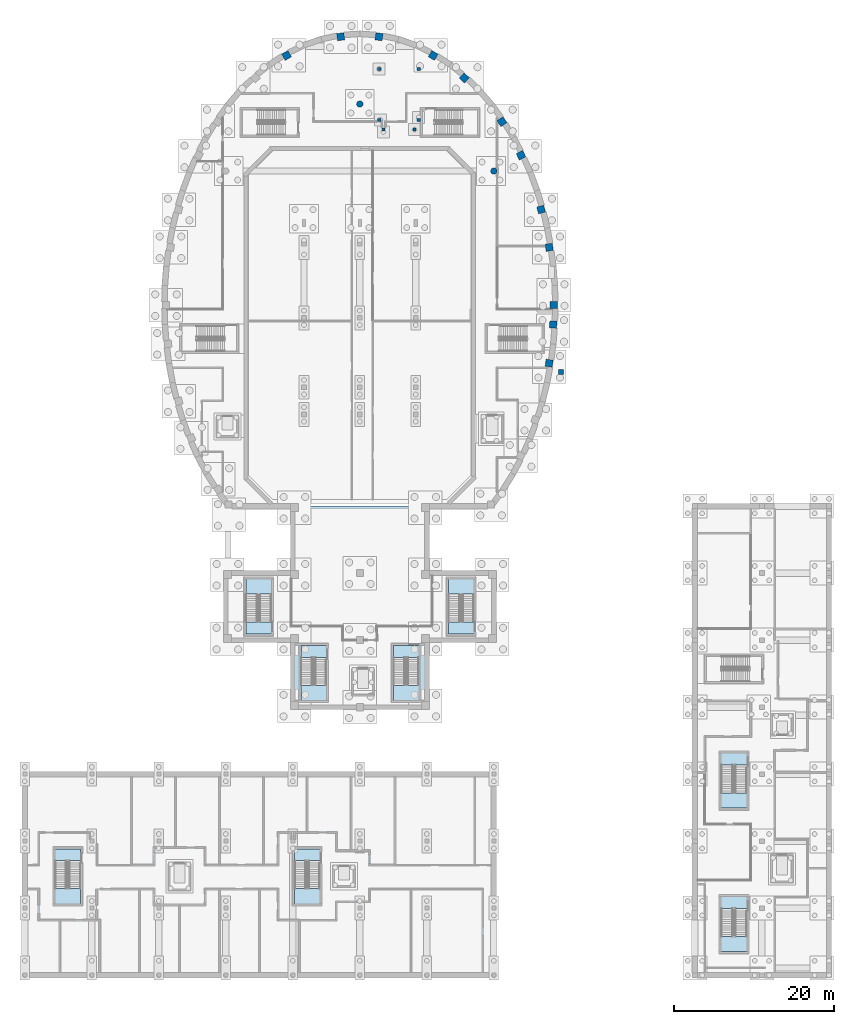
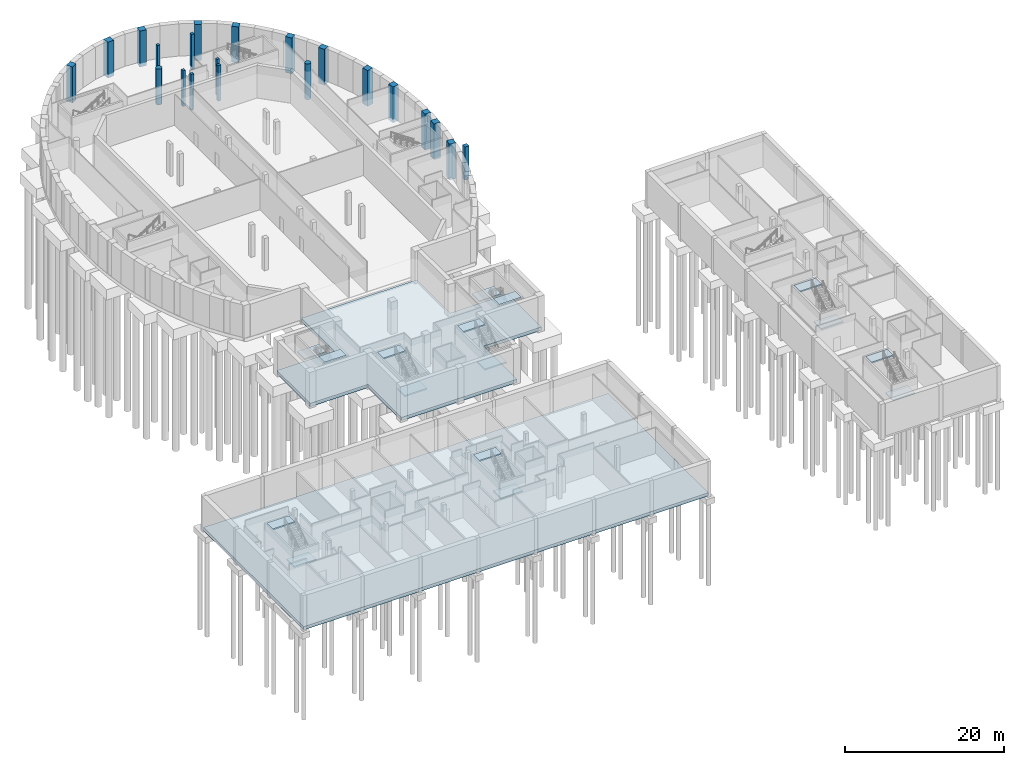
# One storey, part 7 of 33: 21 columns, 18 slabs, 8 elements without a shape of their own.
"""IFC4 building model written with IfcOpenShell, lengths in metres."""

from ifc_helpers import new_model, si_unit, direction, frame, origin, origin_2d, place, context, subcontext, project, spatial, polyline, rectangle, circle, outline, extrude, material, layer, layer_set, material_profile, profile_set, type_object, element, aggregate, save


model = new_model("IFC4")

# Units and contexts
model_context = context("Model", 3, precision=1e-05, world=origin(), true_north=direction((0.0, 1.0)))
body_context = subcontext(model_context, "Body", "Model", "MODEL_VIEW")
ifc_project = project(units=[si_unit("LENGTHUNIT", "METRE"), si_unit("AREAUNIT", "SQUARE_METRE"), si_unit("VOLUMEUNIT", "CUBIC_METRE"), si_unit("PLANEANGLEUNIT", "RADIAN"), si_unit("MASSUNIT", "GRAM", prefix="KILO")], contexts=[model_context])

# Site, building, storey
site_placement = place(None, origin())
site = spatial("IfcSite", under=ifc_project, at=site_placement, CompositionType="ELEMENT")
building_placement = place(site_placement, origin())
building = spatial("IfcBuilding", under=site, at=building_placement, Name="Larchfold Concert Hall", CompositionType="ELEMENT")
storey_placement = place(building_placement, frame((0.0, 0.0, -5.0)))
storey = spatial("IfcBuildingStorey", under=building, at=storey_placement, Name="B1", CompositionType="ELEMENT", Elevation=-5.0)

# Columns
ifc_material_1 = material(Name="Concrete C35/45", Category="concrete")
ifc_material_profile_1 = material_profile(ifc_material_1, rectangle(XDim=0.39990234375, YDim=0.39990234375, at=origin_2d()))
ifc_profile_set_1 = profile_set([ifc_material_profile_1], Name="Concrete C35/45")
column_type_1 = type_object("IfcColumnType", Name="Column RC 400x400", PredefinedType="COLUMN", material=ifc_profile_set_1)
for number, where, z_axis, x_axis, name in (
    (1, (45.02490234375, 107.8125, -0.5), (0.0, 0.0, 1.0), (1.0, 0.0, 0.0), "Column C0087"),
    (2, (45.02490234375, 114.1875, -0.5), (0.0, 0.0, 1.0), (1.0, 0.0, 0.0), "Column C0088"),
    (3, (45.5498046875, 106.60009765625, -0.5), (0.0, 0.0, 1.0), (1.0, 0.0, 0.0), "Column C0089"),
    (4, (49.4501953125, 106.60009765625, -0.5), (0.0, 0.0, 1.0), (1.0, 0.0, 0.0), "Column C0090"),
    (5, (49.97509765625, 107.8125, -0.5), (0.0, 0.0, 1.0), (1.0, 0.0, 0.0), "Column C0091"),
    (6, (49.97509765625, 114.1875, -0.5), (0.0, 0.0, 1.0), (1.0, 0.0, 0.0), "Column C0092"),
):
    element("IfcColumn", number, at=place(storey_placement, frame(where, z_axis=z_axis, x_axis=x_axis)), inside=storey, type_object=column_type_1, Name=name, PredefinedType="COLUMN", context=body_context, shape_type="SweptSolid", body=[
        extrude(rectangle(XDim=0.39990234375, YDim=0.39990234375, at=origin_2d()), origin(), (0.0, 0.0, 1.0), 5.5),
    ])
ifc_material_2 = material(Name="Concrete C35/45", Category="concrete")
ifc_material_profile_2 = material_profile(ifc_material_2, rectangle(XDim=0.60009765625, YDim=0.60009765625, at=origin_2d()))
ifc_profile_set_2 = profile_set([ifc_material_profile_2], Name="Concrete C35/45")
column_type_2 = type_object("IfcColumnType", Name="Column RC 600x600", PredefinedType="COLUMN", material=ifc_profile_set_2)
column_placement = place(storey_placement, frame((67.800048828125, 76.199951171875, -0.5), z_axis=(0.0, 0.0, 1.0), x_axis=(1.0, 0.0, 0.0)))
element("IfcColumn", 7, at=column_placement, inside=storey, type_object=column_type_2, Name="Column C0086", PredefinedType="COLUMN", context=body_context, shape_type="SweptSolid", body=[
    extrude(rectangle(XDim=0.60009765625, YDim=0.60009765625, at=origin_2d()), origin(), (0.0, 0.0, 1.0), 5.10009765625),
])
ifc_material_3 = material(Name="Concrete C35/45", Category="concrete")
ifc_material_profile_3 = material_profile(ifc_material_3, rectangle(XDim=0.89990234375, YDim=0.89990234375, at=origin_2d()))
ifc_profile_set_3 = profile_set([ifc_material_profile_3], Name="Concrete C35/45")
column_type_3 = type_object("IfcColumnType", Name="Column RC 900x900", PredefinedType="COLUMN", material=ifc_profile_set_3)
for number, where, z_axis, x_axis, name in (
    (8, (66.900146484375, 84.60009765625, -0.5), (0.0, 0.0, 1.0), (0.999999999998, 2.069699e-06, 0.0), "Column C9001"),
    (9, (66.33544921875, 91.841796875, -0.5), (0.0, 0.0, 1.0), (0.987778077668, 0.155866831876, 0.0), "Column C9002"),
    (10, (65.322021484375, 96.578857421875, -0.5), (0.0, 0.0, 1.0), (0.964788079418, 0.263028442973, 0.0), "Column C9003"),
    (11, (62.800537109375, 103.382568359375, -0.5), (0.0, 0.0, 1.0), (0.901263073046, 0.433272285247, 0.0), "Column C9004"),
    (12, (60.411865234375, 107.587646484375, -0.5), (0.0, 0.0, 1.0), (0.831867887413, 0.55497370919, 0.0), "Column C9005"),
    (13, (55.694580078125, 113.069580078125, -0.5), (0.0, 0.0, 1.0), (0.664881649498, 0.746948721239, 0.0), "Column C9006"),
    (14, (51.788330078125, 115.888916015625, -0.5), (0.0, 0.0, 1.0), (0.494204498977, 0.869345681068, 0.0), "Column C9007"),
    (15, (44.999267578125, 118.23486328125, -0.5), (0.0, 0.0, 1.0), (0.13683054479, 0.990594468999, 0.0), "Column C9008"),
    (16, (40.200927734375, 118.23486328125, -0.5), (0.0, 0.0, 1.0), (0.990595961709, 0.136819737776, 0.0), "Column C9009"),
    (17, (33.411865234375, 115.888916015625, -0.5), (0.0, 0.0, 1.0), (0.869350146356, 0.49419664409, 0.0), "Column C9010"),
    (18, (66.328369140625, 77.3134765625, -0.5), (0.0, 0.0, 1.0), (0.156847117791, 0.987622894449, 0.0), "Column C9025"),
    (19, (66.8369140625, 82.162353515625, -0.5), (0.0, 0.0, 1.0), (0.051949743743, 0.998649700408, 0.0), "Column C9026"),
):
    element("IfcColumn", number, at=place(storey_placement, frame(where, z_axis=z_axis, x_axis=x_axis)), inside=storey, type_object=column_type_3, Name=name, PredefinedType="COLUMN", context=body_context, shape_type="SweptSolid", body=[
        extrude(rectangle(XDim=0.89990234375, YDim=0.89990234375, at=origin_2d()), origin(), (0.0, 0.0, 1.0), 5.5),
    ])
ifc_material_4 = material(Name="Concrete C35/45", Category="concrete")
ifc_material_profile_4 = material_profile(ifc_material_4, circle(Radius=0.39990234375, at=origin_2d()))
ifc_profile_set_4 = profile_set([ifc_material_profile_4], Name="Concrete C35/45")
column_type_4 = type_object("IfcColumnType", Name="Column RC D800", PredefinedType="COLUMN", material=ifc_profile_set_4)
for number, where, z_axis, x_axis, name in (
    (20, (42.60009765625, 109.800048828125, -0.5), (0.0, 0.0, 1.0), (1.0, 0.0, 0.0), "Column RC2698"),
    (21, (59.39990234375, 101.39990234375, -0.5), (0.0, 0.0, 1.0), (1.0, 0.0, 0.0), "Column RC9414"),
):
    element("IfcColumn", number, at=place(storey_placement, frame(where, z_axis=z_axis, x_axis=x_axis)), inside=storey, type_object=column_type_4, Name=name, PredefinedType="COLUMN", context=body_context, shape_type="SweptSolid", body=[
        extrude(circle(Radius=0.39990234375, at=origin_2d()), origin(), (0.0, 0.0, 1.0), 5.5),
    ])

# Slabs
ifc_material_5 = material(Name="Concrete C35/45", Category="concrete")
ifc_layer_1 = layer(ifc_material_5, 0.5)
ifc_layer_set_1 = layer_set([ifc_layer_1], Name="Concrete C35/45")
slab_type_1 = type_object("IfcSlabType", Name="Raft 500", PredefinedType="BASESLAB", material=ifc_layer_set_1)
slab_1_placement = place(storey_placement, frame((0.0, 0.0, -0.5)))
element("IfcSlab", 22, at=slab_1_placement, inside=storey, type_object=slab_type_1, Name="Slab S0001", PredefinedType="BASESLAB", context=body_context, shape_type="SweptSolid", body=[
    extrude(outline(polyline([(59.39990234375, 0.60009765625), (59.39990234375, 25.800048828125), (0.60009765625, 25.800048828125), (0.60009765625, 0.60009765625), (59.39990234375, 0.60009765625)])), origin(), (0.0, 0.0, 1.0), 0.5),
])
slab_2_placement = place(storey_placement, frame((0.0, 0.0, -0.5)))
element("IfcSlab", 23, at=slab_2_placement, inside=storey, type_object=slab_type_1, Name="Slab S0003", PredefinedType="BASESLAB", context=body_context, shape_type="SweptSolid", body=[
    extrude(outline(polyline([(51.0, 42.60009765625), (59.39990234375, 42.60009765625), (59.39990234375, 51.0), (51.0, 51.0), (51.0, 59.39990234375), (34.199951171875, 59.39990234375), (34.199951171875, 51.0), (25.800048828125, 51.0), (25.800048828125, 42.60009765625), (34.199951171875, 42.60009765625), (34.199951171875, 34.199951171875), (51.0, 34.199951171875), (51.0, 42.60009765625)])), origin(), (0.0, 0.0, 1.0), 0.5),
])

# Stair, slabs
ifc_material_6 = material(Name="Concrete C35/45", Category="concrete")
stair_type = type_object("IfcStairType", Name="Stair RC half-turn enclosed", PredefinedType="HALF_TURN_STAIR", material=ifc_material_6)
stair_1_placement = place(storey_placement, origin())
stair_1 = element("IfcStair", 24, at=stair_1_placement, inside=storey, type_object=stair_type, Name="Stair SH1", PredefinedType="HALF_TURN_STAIR")
ifc_material_7 = material(Name="Concrete C35/45", Category="concrete")
ifc_layer_2 = layer(ifc_material_7, 0.199951171875)
ifc_layer_set_2 = layer_set([ifc_layer_2], Name="Concrete C35/45")
slab_type_2 = type_object("IfcSlabType", Name="Stair landing RC 200", PredefinedType="LANDING", material=ifc_layer_set_2)
slab_3_placement = place(storey_placement, frame((0.0, 0.0, 2.300048828125)))
slab_3 = element("IfcSlab", 25, at=slab_3_placement, type_object=slab_type_2, Name="ST09 landing 1", PredefinedType="LANDING", context=body_context, shape_type="SweptSolid", body=[
    extrude(outline(polyline([(31.5, 48.360107421875), (31.5, 50.25), (28.300048828125, 50.25), (28.300048828125, 48.360107421875), (31.5, 48.360107421875)])), origin(), (0.0, 0.0, 1.0), 0.199951171875),
])
slab_4_placement = place(storey_placement, frame((0.0, 0.0, 4.800048828125)))
slab_4 = element("IfcSlab", 26, at=slab_4_placement, type_object=slab_type_2, Name="ST09 landing 2", PredefinedType="LANDING", context=body_context, shape_type="SweptSolid", body=[
    extrude(outline(polyline([(31.5, 43.35009765625), (31.5, 44.85009765625), (28.300048828125, 44.85009765625), (28.300048828125, 43.35009765625), (31.5, 43.35009765625)])), origin(), (0.0, 0.0, 1.0), 0.199951171875),
])
aggregate(stair_1, [slab_3, slab_4])

stair_2_placement = place(storey_placement, origin())
stair_2 = element("IfcStair", 27, at=stair_2_placement, inside=storey, type_object=stair_type, Name="Stair SH2", PredefinedType="HALF_TURN_STAIR")
slab_5_placement = place(storey_placement, frame((0.0, 0.0, 2.300048828125)))
slab_5 = element("IfcSlab", 28, at=slab_5_placement, type_object=slab_type_2, Name="ST10 landing 1", PredefinedType="LANDING", context=body_context, shape_type="SweptSolid", body=[
    extrude(outline(polyline([(56.89990234375, 48.360107421875), (56.89990234375, 50.25), (53.699951171875, 50.25), (53.699951171875, 48.360107421875), (56.89990234375, 48.360107421875)])), origin(), (0.0, 0.0, 1.0), 0.199951171875),
])
slab_6_placement = place(storey_placement, frame((0.0, 0.0, 4.800048828125)))
slab_6 = element("IfcSlab", 29, at=slab_6_placement, type_object=slab_type_2, Name="ST10 landing 2", PredefinedType="LANDING", context=body_context, shape_type="SweptSolid", body=[
    extrude(outline(polyline([(56.89990234375, 43.35009765625), (56.89990234375, 44.85009765625), (53.699951171875, 44.85009765625), (53.699951171875, 43.35009765625), (56.89990234375, 43.35009765625)])), origin(), (0.0, 0.0, 1.0), 0.199951171875),
])
aggregate(stair_2, [slab_5, slab_6])

stair_3_placement = place(storey_placement, origin())
stair_3 = element("IfcStair", 30, at=stair_3_placement, inside=storey, type_object=stair_type, Name="Stair SH3", PredefinedType="HALF_TURN_STAIR")
slab_7_placement = place(storey_placement, frame((0.0, 0.0, 2.300048828125)))
slab_7 = element("IfcSlab", 31, at=slab_7_placement, type_object=slab_type_2, Name="ST11 landing 1", PredefinedType="LANDING", context=body_context, shape_type="SweptSolid", body=[
    extrude(outline(polyline([(35.199951171875, 36.93994140625), (35.199951171875, 35.050048828125), (38.39990234375, 35.050048828125), (38.39990234375, 36.93994140625), (35.199951171875, 36.93994140625)])), origin(), (0.0, 0.0, 1.0), 0.199951171875),
])
slab_8_placement = place(storey_placement, frame((0.0, 0.0, 4.800048828125)))
slab_8 = element("IfcSlab", 32, at=slab_8_placement, type_object=slab_type_2, Name="ST11 landing 2", PredefinedType="LANDING", context=body_context, shape_type="SweptSolid", body=[
    extrude(outline(polyline([(35.199951171875, 41.949951171875), (35.199951171875, 40.449951171875), (38.39990234375, 40.449951171875), (38.39990234375, 41.949951171875), (35.199951171875, 41.949951171875)])), origin(), (0.0, 0.0, 1.0), 0.199951171875),
])
aggregate(stair_3, [slab_7, slab_8])

stair_4_placement = place(storey_placement, origin())
stair_4 = element("IfcStair", 33, at=stair_4_placement, inside=storey, type_object=stair_type, Name="Stair SH4", PredefinedType="HALF_TURN_STAIR")
slab_9_placement = place(storey_placement, frame((0.0, 0.0, 2.300048828125)))
slab_9 = element("IfcSlab", 34, at=slab_9_placement, type_object=slab_type_2, Name="ST12 landing 1", PredefinedType="LANDING", context=body_context, shape_type="SweptSolid", body=[
    extrude(outline(polyline([(46.800048828125, 36.93994140625), (46.800048828125, 35.050048828125), (50.0, 35.050048828125), (50.0, 36.93994140625), (46.800048828125, 36.93994140625)])), origin(), (0.0, 0.0, 1.0), 0.199951171875),
])
slab_10_placement = place(storey_placement, frame((0.0, 0.0, 4.800048828125)))
slab_10 = element("IfcSlab", 35, at=slab_10_placement, type_object=slab_type_2, Name="ST12 landing 2", PredefinedType="LANDING", context=body_context, shape_type="SweptSolid", body=[
    extrude(outline(polyline([(46.800048828125, 41.949951171875), (46.800048828125, 40.449951171875), (50.0, 40.449951171875), (50.0, 41.949951171875), (46.800048828125, 41.949951171875)])), origin(), (0.0, 0.0, 1.0), 0.199951171875),
])
aggregate(stair_4, [slab_9, slab_10])

stair_5_placement = place(storey_placement, origin())
stair_5 = element("IfcStair", 36, at=stair_5_placement, inside=storey, type_object=stair_type, Name="Stair AW1", PredefinedType="HALF_TURN_STAIR")
slab_11_placement = place(storey_placement, frame((0.0, 0.0, 2.300048828125)))
slab_11 = element("IfcSlab", 37, at=slab_11_placement, type_object=slab_type_2, Name="ST13 landing 1", PredefinedType="LANDING", context=body_context, shape_type="SweptSolid", body=[
    extrude(outline(polyline([(87.89990234375, 5.43994140625), (87.89990234375, 3.550048828125), (91.099853515625, 3.550048828125), (91.099853515625, 5.43994140625), (87.89990234375, 5.43994140625)])), origin(), (0.0, 0.0, 1.0), 0.199951171875),
])
slab_12_placement = place(storey_placement, frame((0.0, 0.0, 4.800048828125)))
slab_12 = element("IfcSlab", 38, at=slab_12_placement, type_object=slab_type_2, Name="ST13 landing 2", PredefinedType="LANDING", context=body_context, shape_type="SweptSolid", body=[
    extrude(outline(polyline([(87.89990234375, 10.449951171875), (87.89990234375, 8.949951171875), (91.10009765625, 8.949951171875), (91.10009765625, 10.449951171875), (87.89990234375, 10.449951171875)])), origin(), (0.0, 0.0, 1.0), 0.199951171875),
])
aggregate(stair_5, [slab_11, slab_12])

stair_6_placement = place(storey_placement, origin())
stair_6 = element("IfcStair", 39, at=stair_6_placement, inside=storey, type_object=stair_type, Name="Stair AW2", PredefinedType="HALF_TURN_STAIR")
slab_13_placement = place(storey_placement, frame((0.0, 0.0, 2.300048828125)))
slab_13 = element("IfcSlab", 40, at=slab_13_placement, type_object=slab_type_2, Name="ST14 landing 1", PredefinedType="LANDING", context=body_context, shape_type="SweptSolid", body=[
    extrude(outline(polyline([(87.89990234375, 23.43994140625), (87.89990234375, 21.550048828125), (91.099853515625, 21.550048828125), (91.099853515625, 23.43994140625), (87.89990234375, 23.43994140625)])), origin(), (0.0, 0.0, 1.0), 0.199951171875),
])
slab_14_placement = place(storey_placement, frame((0.0, 0.0, 4.800048828125)))
slab_14 = element("IfcSlab", 41, at=slab_14_placement, type_object=slab_type_2, Name="ST14 landing 2", PredefinedType="LANDING", context=body_context, shape_type="SweptSolid", body=[
    extrude(outline(polyline([(87.89990234375, 28.449951171875), (87.89990234375, 26.949951171875), (91.10009765625, 26.949951171875), (91.10009765625, 28.449951171875), (87.89990234375, 28.449951171875)])), origin(), (0.0, 0.0, 1.0), 0.199951171875),
])
aggregate(stair_6, [slab_13, slab_14])

stair_7_placement = place(storey_placement, origin())
stair_7 = element("IfcStair", 42, at=stair_7_placement, inside=storey, type_object=stair_type, Name="Stair SW1", PredefinedType="HALF_TURN_STAIR")
slab_15_placement = place(storey_placement, frame((0.0, 0.0, 2.300048828125)))
slab_15 = element("IfcSlab", 43, at=slab_15_placement, type_object=slab_type_2, Name="ST21 landing 1", PredefinedType="LANDING", context=body_context, shape_type="SweptSolid", body=[
    extrude(outline(polyline([(4.39990234375, 11.43994140625), (4.39990234375, 9.550048828125), (7.599853515625, 9.550048828125), (7.599853515625, 11.43994140625), (4.39990234375, 11.43994140625)])), origin(), (0.0, 0.0, 1.0), 0.199951171875),
])
slab_16_placement = place(storey_placement, frame((0.0, 0.0, 4.800048828125)))
slab_16 = element("IfcSlab", 44, at=slab_16_placement, type_object=slab_type_2, Name="ST21 landing 2", PredefinedType="LANDING", context=body_context, shape_type="SweptSolid", body=[
    extrude(outline(polyline([(4.39990234375, 16.449951171875), (4.39990234375, 14.949951171875), (7.60009765625, 14.949951171875), (7.60009765625, 16.449951171875), (4.39990234375, 16.449951171875)])), origin(), (0.0, 0.0, 1.0), 0.199951171875),
])
aggregate(stair_7, [slab_15, slab_16])

stair_8_placement = place(storey_placement, origin())
stair_8 = element("IfcStair", 45, at=stair_8_placement, inside=storey, type_object=stair_type, Name="Stair SW2", PredefinedType="HALF_TURN_STAIR")
slab_17_placement = place(storey_placement, frame((0.0, 0.0, 2.300048828125)))
slab_17 = element("IfcSlab", 46, at=slab_17_placement, type_object=slab_type_2, Name="ST22 landing 1", PredefinedType="LANDING", context=body_context, shape_type="SweptSolid", body=[
    extrude(outline(polyline([(34.39990234375, 11.43994140625), (34.39990234375, 9.550048828125), (37.599853515625, 9.550048828125), (37.599853515625, 11.43994140625), (34.39990234375, 11.43994140625)])), origin(), (0.0, 0.0, 1.0), 0.199951171875),
])
slab_18_placement = place(storey_placement, frame((0.0, 0.0, 4.800048828125)))
slab_18 = element("IfcSlab", 47, at=slab_18_placement, type_object=slab_type_2, Name="ST22 landing 2", PredefinedType="LANDING", context=body_context, shape_type="SweptSolid", body=[
    extrude(outline(polyline([(34.39990234375, 16.449951171875), (34.39990234375, 14.949951171875), (37.60009765625, 14.949951171875), (37.60009765625, 16.449951171875), (34.39990234375, 16.449951171875)])), origin(), (0.0, 0.0, 1.0), 0.199951171875),
])
aggregate(stair_8, [slab_17, slab_18])

save(model, "model.ifc")
